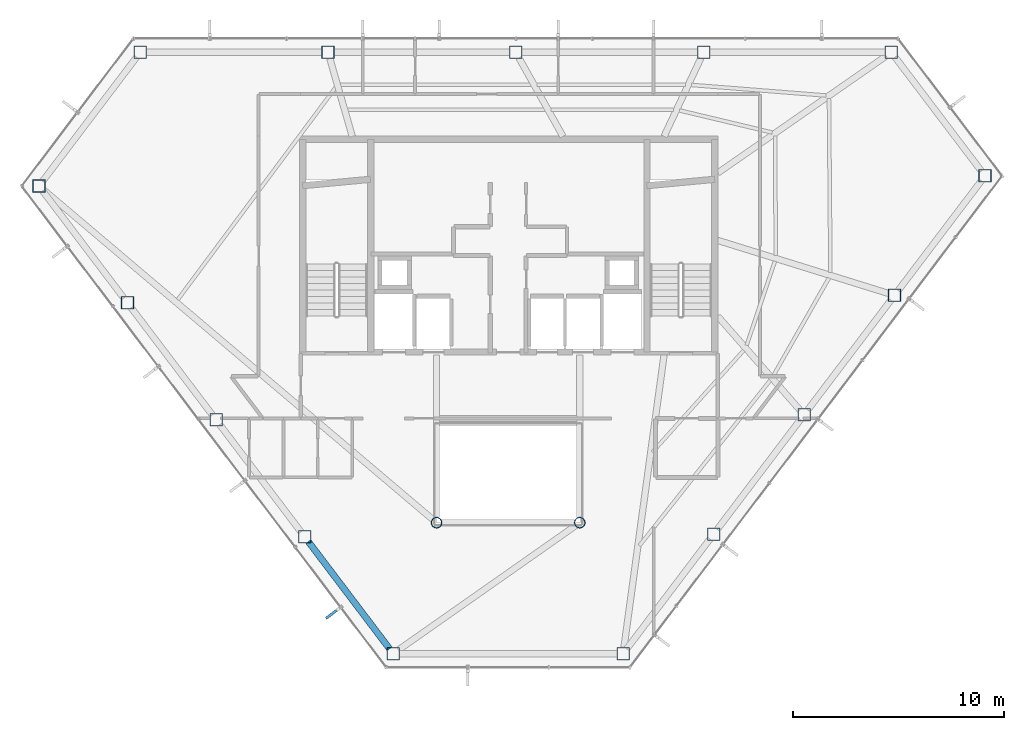
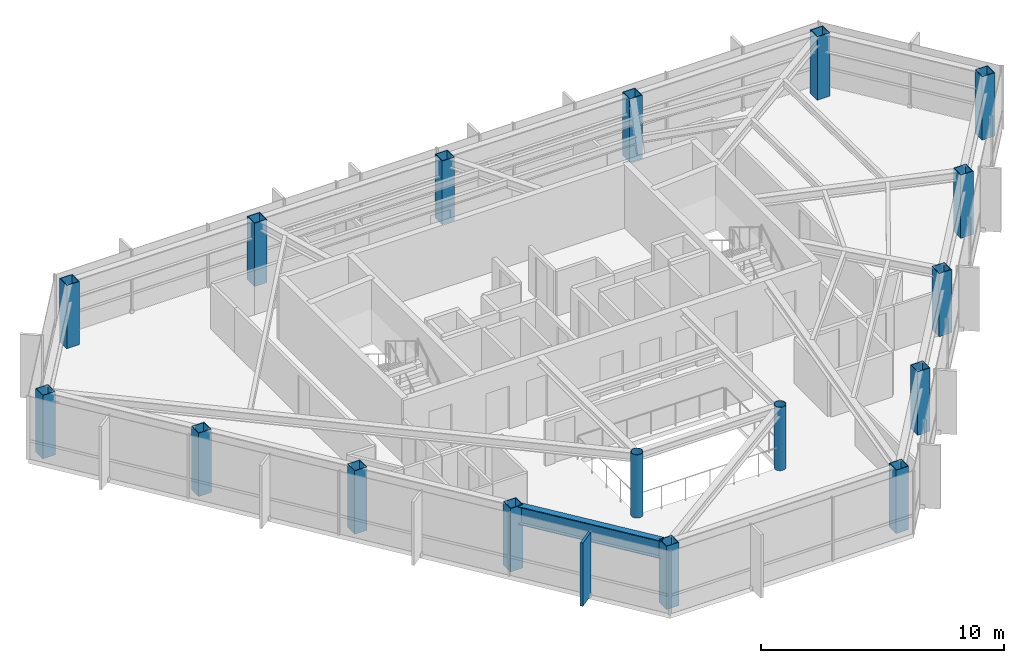
# One storey, part 1 of 27: 17 columns, 1 beam, 1 member, 1 element without a shape of its own.
"""IFC4 building model written with IfcOpenShell, lengths in metres."""

from ifc_helpers import new_model, si_unit, direction, frame, origin, origin_2d, place, context, subcontext, project, spatial, rectangle, hollow_rectangle, hollow_circle, i_section, extrude, material, layer, layer_set, material_profile, profile_set, type_object, element, aggregate, save


model = new_model("IFC4")

# Units and contexts
model_context = context("Model", 3, precision=1e-05, world=origin(), true_north=direction((0.0, 1.0)))
body_context = subcontext(model_context, "Body", "Model", "MODEL_VIEW")
ifc_project = project(units=[si_unit("LENGTHUNIT", "METRE"), si_unit("AREAUNIT", "SQUARE_METRE"), si_unit("VOLUMEUNIT", "CUBIC_METRE"), si_unit("PLANEANGLEUNIT", "RADIAN"), si_unit("MASSUNIT", "GRAM", prefix="KILO")], contexts=[model_context])

# Site, building, storey
site_placement = place(None, origin())
site = spatial("IfcSite", under=ifc_project, at=site_placement, CompositionType="ELEMENT")
building_placement = place(site_placement, origin())
building = spatial("IfcBuilding", under=site, at=building_placement, Name="Zarrinselat Tower", CompositionType="ELEMENT")
storey_placement = place(building_placement, frame((0.0, 0.0, 232.56005859375)))
storey = spatial("IfcBuildingStorey", under=building, at=storey_placement, Name="L58", CompositionType="ELEMENT", Elevation=232.56005859375)

# Columns
ifc_material_1 = material(Name="Steel S355J2", Category="steel")
ifc_material_profile_1 = material_profile(ifc_material_1, hollow_circle(Radius=0.25390625, WallThickness=0.02001953125, at=origin_2d()), Name="CHS 508x20")
ifc_profile_set_1 = profile_set([ifc_material_profile_1], Name="Steel S355J2")
column_type_1 = type_object("IfcColumnType", Name="COL-CHS508", PredefinedType="COLUMN", material=ifc_profile_set_1)
for number, where, z_axis, x_axis, name in (
    (1, (35.0, 25.199951171875, 0.0), (0.0, 0.0, 1.0), (1.0, 0.0, 0.0), "L58 Atrium Corner Column 1"),
    (2, (41.800048828125, 25.199951171875, 0.0), (0.0, 0.0, 1.0), (1.0, 0.0, 0.0), "L58 Atrium Corner Column 2"),
):
    element("IfcColumn", number, at=place(storey_placement, frame(where, z_axis=z_axis, x_axis=x_axis)), inside=storey, type_object=column_type_1, Name=name, PredefinedType="COLUMN", context=body_context, shape_type="SweptSolid", body=[
        extrude(hollow_circle(Radius=0.25390625, WallThickness=0.02001953125, at=origin_2d()), origin(), (0.0, 0.0, 1.0), 3.179931640625),
    ])
ifc_material_2 = material(Name="Steel S355J2", Category="steel")
ifc_material_profile_2 = material_profile(ifc_material_2, hollow_rectangle(XDim=0.60009765625, YDim=0.60009765625, WallThickness=0.030029296875, at=origin_2d()), Name="SHS 600x600x30")
ifc_profile_set_2 = profile_set([ifc_material_profile_2], Name="Steel S355J2")
column_type_2 = type_object("IfcColumnType", Name="COL-SHS600", PredefinedType="COLUMN", material=ifc_profile_set_2)
for number, where, z_axis, x_axis, name in (
    (3, (56.59228515625, 47.52783203125, 0.0), (0.0, 0.0, 1.0), (1.0, 0.0, 0.0), "L58 Framed-Tube Column T01"),
    (4, (47.677734375, 47.52783203125, 0.0), (0.0, 0.0, 1.0), (1.0, 0.0, 0.0), "L58 Framed-Tube Column T02"),
    (5, (38.763427734375, 47.52783203125, 0.0), (0.0, 0.0, 1.0), (1.0, 0.0, 0.0), "L58 Framed-Tube Column T03"),
    (6, (29.848876953125, 47.52783203125, 0.0), (0.0, 0.0, 1.0), (1.0, 0.0, 0.0), "L58 Framed-Tube Column T04"),
    (7, (20.9345703125, 47.52783203125, 0.0), (0.0, 0.0, 1.0), (1.0, 0.0, 0.0), "L58 Framed-Tube Column T05"),
    (8, (16.126708984375, 41.181396484375, 0.0), (0.0, 0.0, 1.0), (1.0, 0.0, 0.0), "L58 Framed-Tube Column T06"),
    (9, (20.330810546875, 35.632080078125, 0.0), (0.0, 0.0, 1.0), (1.0, 0.0, 0.0), "L58 Framed-Tube Column T07"),
    (10, (24.534912109375, 30.082763671875, 0.0), (0.0, 0.0, 1.0), (1.0, 0.0, 0.0), "L58 Framed-Tube Column T08"),
    (11, (28.739013671875, 24.533447265625, 0.0), (0.0, 0.0, 1.0), (1.0, 0.0, 0.0), "L58 Framed-Tube Column T09"),
    (12, (32.943115234375, 18.98388671875, 0.0), (0.0, 0.0, 1.0), (1.0, 0.0, 0.0), "L58 Framed-Tube Column T10"),
    (13, (43.85693359375, 18.98388671875, 0.0), (0.0, 0.0, 1.0), (1.0, 0.0, 0.0), "L58 Framed-Tube Column T11"),
    (14, (48.15185546875, 24.6533203125, 0.0), (0.0, 0.0, 1.0), (1.0, 0.0, 0.0), "L58 Framed-Tube Column T12"),
    (15, (52.44677734375, 30.322509765625, 0.0), (0.0, 0.0, 1.0), (1.0, 0.0, 0.0), "L58 Framed-Tube Column T13"),
    (16, (56.74169921875, 35.99169921875, 0.0), (0.0, 0.0, 1.0), (1.0, 0.0, 0.0), "L58 Framed-Tube Column T14"),
    (17, (61.03662109375, 41.6611328125, 0.0), (0.0, 0.0, 1.0), (1.0, 0.0, 0.0), "L58 Framed-Tube Column T15"),
):
    element("IfcColumn", number, at=place(storey_placement, frame(where, z_axis=z_axis, x_axis=x_axis)), inside=storey, type_object=column_type_2, Name=name, PredefinedType="COLUMN", context=body_context, shape_type="SweptSolid", body=[
        extrude(hollow_rectangle(XDim=0.60009765625, YDim=0.60009765625, WallThickness=0.030029296875, at=origin_2d()), origin(), (0.0, 0.0, 1.0), 3.179931640625),
    ])

# Beam
ifc_material_3 = material(Name="Steel S460M", Category="steel")
ifc_material_profile_3 = material_profile(ifc_material_3, i_section(OverallWidth=0.302001953125, OverallDepth=0.909912109375, WebThickness=0.02099609375, FlangeThickness=0.0400390625, at=origin_2d()), Name="HEM 900")
ifc_profile_set_3 = profile_set([ifc_material_profile_3], Name="Steel S460M")
beam_type = type_object("IfcBeamType", Name="BM-HEM900", PredefinedType="BEAM", material=ifc_profile_set_3)
beam_placement = place(storey_placement, frame((28.912841796875, 24.3037109375, 2.724853515625), z_axis=(0.603865048742, -0.797086571777, 0.0), x_axis=(0.797086571777, 0.603865048742, 0.0)))
element("IfcBeam", 18, at=beam_placement, inside=storey, type_object=beam_type, Name="L58 Perimeter Spandrel Girder SP09", PredefinedType="BEAM", context=body_context, shape_type="SweptSolid", body=[
    extrude(i_section(OverallWidth=0.302001953125, OverallDepth=0.909912109375, WebThickness=0.02099609375, FlangeThickness=0.0400390625, at=origin_2d()), origin(), (0.0, 0.0, 1.0), 6.385986328125),
])

# Curtain wall, member
ifc_material_4 = material(Name="Extruded Aluminium Alloy EN AW-6063 T6", Category="aluminium")
ifc_layer = layer(ifc_material_4, 0.169921875)
ifc_layer_set = layer_set([ifc_layer], Name="Extruded Aluminium Alloy EN AW-6063 T6")
curtain_wall_type = type_object("IfcCurtainWallType", Name="CWS-RES", PredefinedType="NOTDEFINED", material=ifc_layer_set)
curtain_wall_placement = place(storey_placement, origin())
curtain_wall = element("IfcCurtainWall", 19, at=curtain_wall_placement, inside=storey, type_object=curtain_wall_type, Name="L58 Unitised Curtain Wall CW-L58-E03", PredefinedType="NOTDEFINED")
ifc_material_5 = material(Name="Honed Cream Travertine Stone", Category="masonry")
ifc_material_profile_4 = material_profile(ifc_material_5, rectangle(XDim=0.1201171875, YDim=0.85009765625, at=origin_2d()), Name="FIN 850x120")
ifc_profile_set_4 = profile_set([ifc_material_profile_4], Name="Honed Cream Travertine Stone")
member_type = type_object("IfcMemberType", Name="MEM-STONE-FIN", PredefinedType="USERDEFINED", material=ifc_profile_set_4)
member_placement = place(storey_placement, frame((30.089599609375, 20.912109375, 0.0), z_axis=(0.0, 0.0, 1.0), x_axis=(-0.603857419315, 0.7970923517, 0.0)))
member = element("IfcMember", 20, at=member_placement, type_object=member_type, Name="L58 Stone Shading Fin CW-L58-E03-07", ObjectType="FIN", PredefinedType="USERDEFINED", context=body_context, shape_type="SweptSolid", body=[
    extrude(rectangle(XDim=0.1201171875, YDim=0.85009765625, at=origin_2d()), origin(), (0.0, 0.0, 1.0), 3.179931640625),
])
aggregate(curtain_wall, [member])

save(model, "model.ifc")
